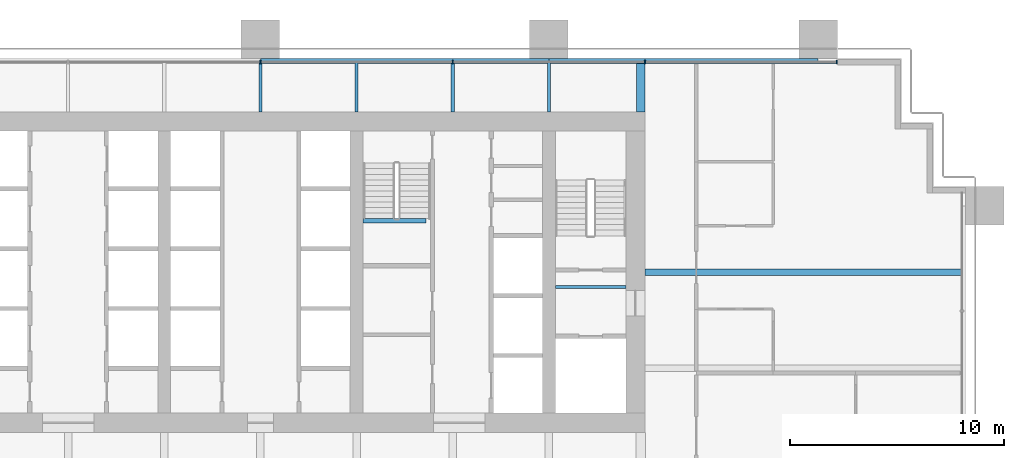
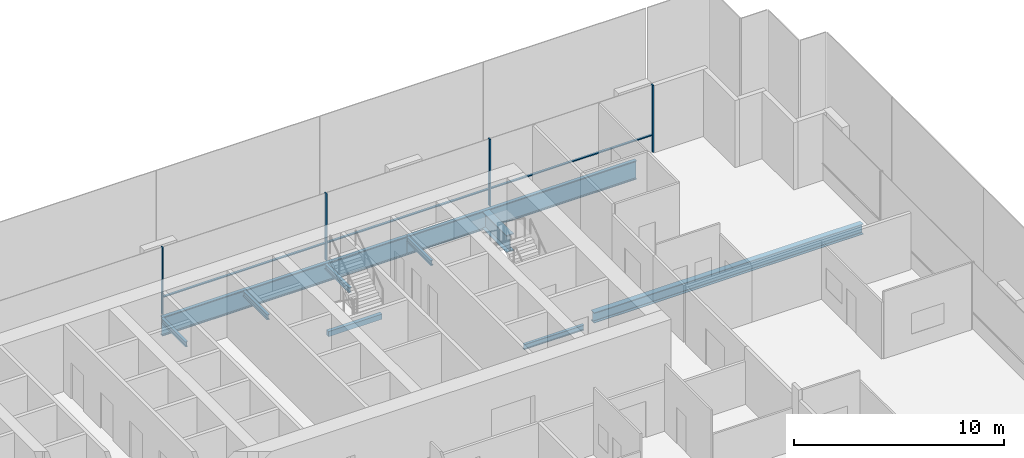
# One storey, part 8 of 18: 10 beams, 7 members, 1 element without a shape of its own.
"""IFC4 building model written with IfcOpenShell, lengths in metres."""

from ifc_helpers import new_model, si_unit, direction, frame, origin, origin_2d, place, context, subcontext, project, spatial, rectangle, i_section, extrude, material, material_profile, profile_set, type_object, element, aggregate, save


model = new_model("IFC4")

# Units and contexts
model_context = context("Model", 3, precision=1e-05, world=origin(), true_north=direction((0.0, 1.0)))
body_context = subcontext(model_context, "Body", "Model", "MODEL_VIEW")
ifc_project = project(units=[si_unit("LENGTHUNIT", "METRE"), si_unit("AREAUNIT", "SQUARE_METRE"), si_unit("VOLUMEUNIT", "CUBIC_METRE"), si_unit("PLANEANGLEUNIT", "RADIAN"), si_unit("MASSUNIT", "GRAM", prefix="KILO")], contexts=[model_context])

# Site, building, storey
site_placement = place(None, origin())
site = spatial("IfcSite", under=ifc_project, at=site_placement, CompositionType="ELEMENT")
building_placement = place(site_placement, origin())
building = spatial("IfcBuilding", under=site, at=building_placement, Name="Rattan Terrace Tower", CompositionType="ELEMENT")
storey_placement = place(building_placement, frame((0.0, 0.0, 32.39990234375)))
storey = spatial("IfcBuildingStorey", under=building, at=storey_placement, Name="L06", CompositionType="ELEMENT", Elevation=32.39990234375)

# Beam
ifc_material_1 = material(Name="Concrete C40/50", Category="concrete")
ifc_material_profile_1 = material_profile(ifc_material_1, rectangle(XDim=0.199951171875, YDim=0.300048828125, at=origin_2d()), Name="RC 200x300")
ifc_profile_set_1 = profile_set([ifc_material_profile_1], Name="Concrete C40/50")
beam_type_1 = type_object("IfcBeamType", Name="Core landing beam RC 200x300", PredefinedType="BEAM", material=ifc_profile_set_1)
beam_1_placement = place(storey_placement, frame((4.800048828125, 2.39990234375, 1.7001953125), z_axis=(1.0, 0.0, 0.0), x_axis=(0.0, 1.0, 0.0)))
element("IfcBeam", 1, at=beam_1_placement, inside=storey, type_object=beam_type_1, Name="st-S3-L06 landing 1 edge beam", PredefinedType="BEAM", context=body_context, shape_type="SweptSolid", body=[
    extrude(rectangle(XDim=0.199951171875, YDim=0.300048828125, at=origin_2d()), origin(), (0.0, 0.0, 1.0), 2.949951171875),
])

# Curtain wall, members
ifc_material_2 = material(Name="Aluminium and glass", Category="aluminium")
curtain_wall_type = type_object("IfcCurtainWallType", Name="Facade Unitised Curtain Wall", PredefinedType="NOTDEFINED", material=ifc_material_2)
curtain_wall_placement = place(storey_placement, origin())
curtain_wall = element("IfcCurtainWall", 2, at=curtain_wall_placement, inside=storey, type_object=curtain_wall_type, Name="Curtain wall L06-2", PredefinedType="NOTDEFINED")
ifc_material_3 = material(Name="Aluminium", Category="aluminium")
ifc_material_profile_2 = material_profile(ifc_material_3, rectangle(XDim=0.06005859375, YDim=0.159912109375, at=origin_2d()), Name="Aluminium 60x160")
ifc_profile_set_2 = profile_set([ifc_material_profile_2], Name="Aluminium")
member_type_1 = type_object("IfcMemberType", Name="Facade CW Mullion 60x160", PredefinedType="MULLION", material=ifc_profile_set_2)
member_1_placement = place(storey_placement, frame((26.969970703125, 9.830078125, 0.0), z_axis=(0.0, 0.0, 1.0), x_axis=(-1.0, 0.0, 0.0)))
member_1 = element("IfcMember", 3, at=member_1_placement, type_object=member_type_1, Name="Mullion cwl-L06-002.1", PredefinedType="MULLION", context=body_context, shape_type="SweptSolid", body=[
    extrude(rectangle(XDim=0.06005859375, YDim=0.159912109375, at=origin_2d()), origin(), (0.0, 0.0, 1.0), 3.900146484375),
])
member_2_placement = place(storey_placement, frame((18.0, 9.830078125, 0.0), z_axis=(0.0, 0.0, 1.0), x_axis=(-1.0, 0.0, 0.0)))
member_2 = element("IfcMember", 4, at=member_2_placement, type_object=member_type_1, Name="Mullion cwl-L06-002.2", PredefinedType="MULLION", context=body_context, shape_type="SweptSolid", body=[
    extrude(rectangle(XDim=0.06005859375, YDim=0.159912109375, at=origin_2d()), origin(), (0.0, 0.0, 1.0), 3.900146484375),
])
member_3_placement = place(storey_placement, frame((9.0, 9.830078125, 0.0), z_axis=(0.0, 0.0, 1.0), x_axis=(-1.0, 0.0, 0.0)))
member_3 = element("IfcMember", 5, at=member_3_placement, type_object=member_type_1, Name="Mullion cwl-L06-002.3", PredefinedType="MULLION", context=body_context, shape_type="SweptSolid", body=[
    extrude(rectangle(XDim=0.06005859375, YDim=0.159912109375, at=origin_2d()), origin(), (0.0, 0.0, 1.0), 3.900146484375),
])
member_4_placement = place(storey_placement, frame((0.0, 9.830078125, 0.0), z_axis=(0.0, 0.0, 1.0), x_axis=(-1.0, 0.0, 0.0)))
member_4 = element("IfcMember", 6, at=member_4_placement, type_object=member_type_1, Name="Mullion cwl-L06-002.4", PredefinedType="MULLION", context=body_context, shape_type="SweptSolid", body=[
    extrude(rectangle(XDim=0.06005859375, YDim=0.159912109375, at=origin_2d()), origin(), (0.0, 0.0, 1.0), 3.900146484375),
])
ifc_material_4 = material(Name="Aluminium", Category="aluminium")
ifc_material_profile_3 = material_profile(ifc_material_4, rectangle(XDim=0.1201171875, YDim=0.06005859375, at=origin_2d()), Name="Aluminium 120x60")
ifc_profile_set_3 = profile_set([ifc_material_profile_3], Name="Aluminium")
member_type_2 = type_object("IfcMemberType", Name="Facade CW Transom 120x60", PredefinedType="USERDEFINED", material=ifc_profile_set_3)
member_5_placement = place(storey_placement, frame((26.93994140625, 9.830078125, 1.0), z_axis=(-1.0, 0.0, 0.0), x_axis=(0.0, -1.0, 0.0)))
member_5 = element("IfcMember", 7, at=member_5_placement, type_object=member_type_2, Name="Transom cwl-L06-002.1", ObjectType="TRANSOM", PredefinedType="USERDEFINED", context=body_context, shape_type="SweptSolid", body=[
    extrude(rectangle(XDim=0.1201171875, YDim=0.06005859375, at=origin_2d()), origin(), (0.0, 0.0, 1.0), 8.909912109375),
])
member_6_placement = place(storey_placement, frame((17.969970703125, 9.830078125, 1.0), z_axis=(-1.0, 0.0, 0.0), x_axis=(0.0, -1.0, 0.0)))
member_6 = element("IfcMember", 8, at=member_6_placement, type_object=member_type_2, Name="Transom cwl-L06-002.2", ObjectType="TRANSOM", PredefinedType="USERDEFINED", context=body_context, shape_type="SweptSolid", body=[
    extrude(rectangle(XDim=0.1201171875, YDim=0.06005859375, at=origin_2d()), origin(), (0.0, 0.0, 1.0), 8.93994140625),
])
member_7_placement = place(storey_placement, frame((8.969970703125, 9.830078125, 1.0), z_axis=(-1.0, 0.0, 0.0), x_axis=(0.0, -1.0, 0.0)))
member_7 = element("IfcMember", 9, at=member_7_placement, type_object=member_type_2, Name="Transom cwl-L06-002.3", ObjectType="TRANSOM", PredefinedType="USERDEFINED", context=body_context, shape_type="SweptSolid", body=[
    extrude(rectangle(XDim=0.1201171875, YDim=0.06005859375, at=origin_2d()), origin(), (0.0, 0.0, 1.0), 8.93994140625),
])
aggregate(curtain_wall, [member_1, member_2, member_3, member_4, member_5, member_6, member_7])

# Beams
ifc_material_5 = material(Name="Steel S460", Category="steel")
ifc_material_profile_4 = material_profile(ifc_material_5, i_section(OverallWidth=0.39990234375, OverallDepth=1.0, WebThickness=0.01806640625, FlangeThickness=0.044921875, at=origin_2d()), Name="PG 1000x400-18-45")
ifc_profile_set_4 = profile_set([ifc_material_profile_4], Name="Steel S460")
beam_type_2 = type_object("IfcBeamType", Name="Frame core girder PG 1000x400-18-45", PredefinedType="BEAM", material=ifc_profile_set_4)
beam_2_placement = place(storey_placement, frame((17.800048828125, 7.5, -0.699951171875), z_axis=(0.0, 1.0, 0.0), x_axis=(-1.0, 0.0, 0.0)))
element("IfcBeam", 10, at=beam_2_placement, inside=storey, type_object=beam_type_2, Name="gdr-L06-016", PredefinedType="BEAM", context=body_context, shape_type="SweptSolid", body=[
    extrude(i_section(OverallWidth=0.39990234375, OverallDepth=1.0, WebThickness=0.01806640625, FlangeThickness=0.044921875, at=origin_2d()), origin(), (0.0, 0.0, 1.0), 2.320068359375),
])
ifc_material_6 = material(Name="Steel S460", Category="steel")
ifc_material_profile_5 = material_profile(ifc_material_6, i_section(OverallWidth=0.179931640625, OverallDepth=1.10009765625, WebThickness=0.01611328125, FlangeThickness=0.050048828125, at=origin_2d()), Name="PG 1100x180-16-50")
ifc_profile_set_5 = profile_set([ifc_material_profile_5], Name="Steel S460")
beam_type_3 = type_object("IfcBeamType", Name="Frame edge girder PG 1100x180-16-50", PredefinedType="SPANDREL", material=ifc_profile_set_5)
beam_3_placement = place(storey_placement, frame((13.5, 9.909912109375, -0.75), z_axis=(-1.0, 0.0, 0.0), x_axis=(0.0, -1.0, 0.0)))
element("IfcBeam", 11, at=beam_3_placement, inside=storey, type_object=beam_type_3, Name="gdr-L06-011", PredefinedType="SPANDREL", context=body_context, shape_type="SweptSolid", body=[
    extrude(i_section(OverallWidth=0.179931640625, OverallDepth=1.10009765625, WebThickness=0.01611328125, FlangeThickness=0.050048828125, at=origin_2d()), origin(), (0.0, 0.0, 1.0), 13.5),
])
beam_4_placement = place(storey_placement, frame((26.10009765625, 9.909912109375, -0.75), z_axis=(-1.0, 0.0, 0.0), x_axis=(0.0, -1.0, 0.0)))
element("IfcBeam", 12, at=beam_4_placement, inside=storey, type_object=beam_type_3, Name="gdr-L06-012", PredefinedType="SPANDREL", context=body_context, shape_type="SweptSolid", body=[
    extrude(i_section(OverallWidth=0.179931640625, OverallDepth=1.10009765625, WebThickness=0.01611328125, FlangeThickness=0.050048828125, at=origin_2d()), origin(), (0.0, 0.0, 1.0), 12.60009765625),
])
ifc_material_7 = material(Name="Steel S355", Category="steel")
ifc_material_profile_6 = material_profile(ifc_material_7, i_section(OverallWidth=0.300048828125, OverallDepth=0.60009765625, WebThickness=0.015380859375, FlangeThickness=0.030029296875, FilletRadius=0.027099609375, at=origin_2d()), Name="HE 600 B")
ifc_profile_set_6 = profile_set([ifc_material_profile_6], Name="Steel S355")
beam_type_4 = type_object("IfcBeamType", Name="Frame floor beam HE 600 B", PredefinedType="JOIST", material=ifc_profile_set_6)
beam_5_placement = place(storey_placement, frame((18.0, 0.0, -0.5), z_axis=(1.0, 0.0, 0.0), x_axis=(0.0, 1.0, 0.0)))
element("IfcBeam", 13, at=beam_5_placement, inside=storey, type_object=beam_type_4, Name="bm-L06-023", PredefinedType="JOIST", context=body_context, shape_type="SweptSolid", body=[
    extrude(i_section(OverallWidth=0.300048828125, OverallDepth=0.60009765625, WebThickness=0.015380859375, FlangeThickness=0.030029296875, FilletRadius=0.027099609375, at=origin_2d()), origin(), (0.0, 0.0, 1.0), 14.820068359375),
])
ifc_material_8 = material(Name="Steel S355", Category="steel")
ifc_material_profile_7 = material_profile(ifc_material_8, i_section(OverallWidth=0.14990234375, OverallDepth=0.300048828125, WebThickness=0.007080078125, FlangeThickness=0.0107421875, FilletRadius=0.014892578125, at=origin_2d()), Name="IPE 300")
ifc_profile_set_7 = profile_set([ifc_material_profile_7], Name="Steel S355")
beam_type_5 = type_object("IfcBeamType", Name="Frame floor beam IPE 300", PredefinedType="JOIST", material=ifc_profile_set_7)
beam_6_placement = place(storey_placement, frame((13.800048828125, -0.695068359375, -0.349853515625), z_axis=(1.0, 0.0, 0.0), x_axis=(0.0, 1.0, 0.0)))
element("IfcBeam", 14, at=beam_6_placement, inside=storey, type_object=beam_type_5, Name="bm-L06-002", PredefinedType="JOIST", context=body_context, shape_type="SweptSolid", body=[
    extrude(i_section(OverallWidth=0.14990234375, OverallDepth=0.300048828125, WebThickness=0.007080078125, FlangeThickness=0.0107421875, FilletRadius=0.014892578125, at=origin_2d()), origin(), (0.0, 0.0, 1.0), 3.300048828125),
])
for number, where, z_axis, x_axis, name in (
    (15, (0.0, 7.5, -0.349853515625), (0.0, 1.0, 0.0), (-1.0, 0.0, 0.0), "bm-L06-027"),
    (16, (4.5, 7.5, -0.349853515625), (0.0, 1.0, 0.0), (-1.0, 0.0, 0.0), "bm-L06-028"),
    (17, (9.0, 7.5, -0.349853515625), (0.0, 1.0, 0.0), (-1.0, 0.0, 0.0), "bm-L06-029"),
    (18, (13.5, 7.5, -0.349853515625), (0.0, 1.0, 0.0), (-1.0, 0.0, 0.0), "bm-L06-030"),
):
    element("IfcBeam", number, at=place(storey_placement, frame(where, z_axis=z_axis, x_axis=x_axis)), inside=storey, type_object=beam_type_5, Name=name, PredefinedType="JOIST", context=body_context, shape_type="SweptSolid", body=[
        extrude(i_section(OverallWidth=0.14990234375, OverallDepth=0.300048828125, WebThickness=0.007080078125, FlangeThickness=0.0107421875, FilletRadius=0.014892578125, at=origin_2d()), origin(), (0.0, 0.0, 1.0), 2.320068359375),
    ])

save(model, "model.ifc")
